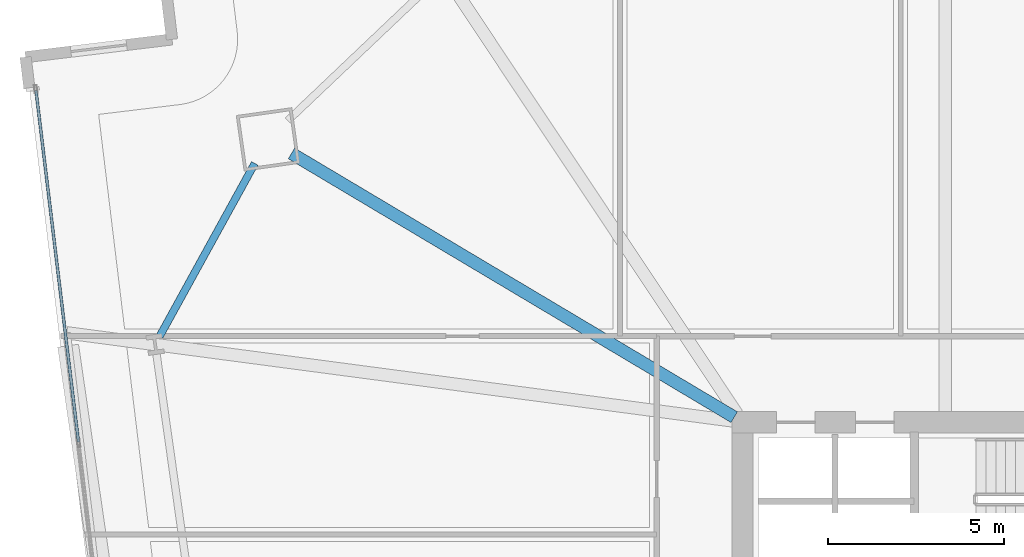
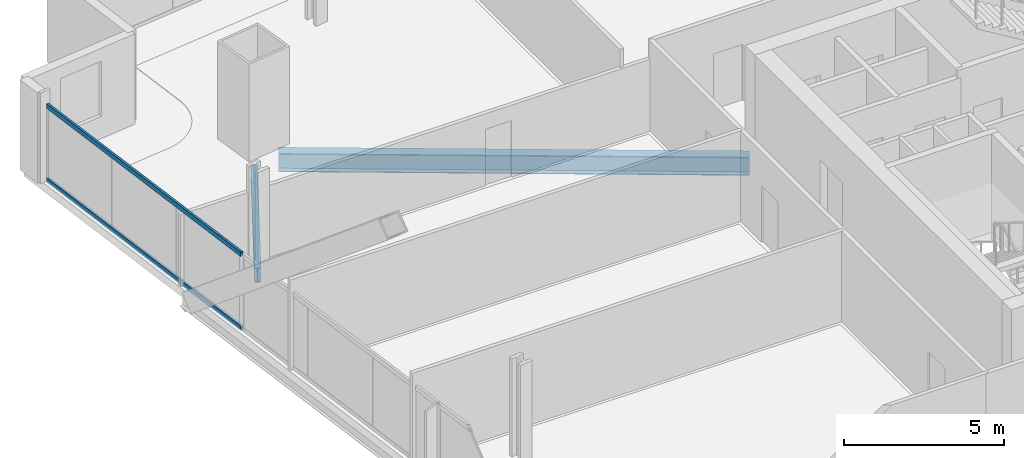
# One storey, part 15 of 33: 2 beams, 2 members, 1 element without a shape of its own.
"""IFC4 building model written with IfcOpenShell, lengths in metres."""

from ifc_helpers import new_model, si_unit, direction, frame, origin, origin_2d, place, context, subcontext, project, spatial, hollow_rectangle, i_section, extrude, material, material_profile, profile_set, type_object, element, aggregate, save


model = new_model("IFC4")

# Units and contexts
model_context = context("Model", 3, precision=1e-05, world=origin(), true_north=direction((0.0, 1.0)))
body_context = subcontext(model_context, "Body", "Model", "MODEL_VIEW")
ifc_project = project(units=[si_unit("LENGTHUNIT", "METRE"), si_unit("AREAUNIT", "SQUARE_METRE"), si_unit("VOLUMEUNIT", "CUBIC_METRE"), si_unit("PLANEANGLEUNIT", "RADIAN"), si_unit("MASSUNIT", "GRAM", prefix="KILO")], contexts=[model_context])

# Site, building, storey
site_placement = place(None, origin())
site = spatial("IfcSite", under=ifc_project, at=site_placement, CompositionType="ELEMENT")
building_placement = place(site_placement, origin())
building = spatial("IfcBuilding", under=site, at=building_placement, Name="Haldenkirk Collegiate Tower", CompositionType="ELEMENT")
storey_placement = place(building_placement, frame((0.0, 0.0, 51.449951171875)))
storey = spatial("IfcBuildingStorey", under=building, at=storey_placement, Name="L11", CompositionType="ELEMENT", Elevation=51.449951171875)

# Beams
ifc_material_1 = material(Name="Steel ASTM A992 Grade 50", Category="steel")
ifc_material_profile_1 = material_profile(ifc_material_1, i_section(OverallWidth=0.35498046875, OverallDepth=0.696044921875, WebThickness=0.015380859375, FlangeThickness=0.02490234375, at=origin_2d()), Name="W27X146")
ifc_profile_set_1 = profile_set([ifc_material_profile_1], Name="Steel ASTM A992 Grade 50")
beam_type_1 = type_object("IfcBeamType", Name="BM-GIRDER-W27X146", PredefinedType="BEAM", material=ifc_profile_set_1)
beam_1_placement = place(storey_placement, frame((14.14990234375, 41.6552734375, -0.657958984375), z_axis=(0.859106056552, -0.511797600225, 0.0), x_axis=(0.511797600225, 0.859106056552, 0.0)))
element("IfcBeam", 1, at=beam_1_placement, inside=storey, type_object=beam_type_1, Name="L11 primary floor girder 04", PredefinedType="BEAM", context=body_context, shape_type="SweptSolid", body=[
    extrude(i_section(OverallWidth=0.35498046875, OverallDepth=0.696044921875, WebThickness=0.015380859375, FlangeThickness=0.02490234375, at=origin_2d()), origin(), (0.0, 0.0, 1.0), 14.677490234375),
])
ifc_material_profile_2 = material_profile(ifc_material_1, i_section(OverallWidth=0.2119140625, OverallDepth=0.5439453125, WebThickness=0.01318359375, FlangeThickness=0.021240234375, at=origin_2d()), Name="W21X83")
ifc_profile_set_2 = profile_set([ifc_material_profile_2], Name="Steel ASTM A992 Grade 50")
beam_type_2 = type_object("IfcBeamType", Name="BM-SPANDREL-W21X83", PredefinedType="SPANDREL", material=ifc_profile_set_2)
beam_2_placement = place(storey_placement, frame((13.10400390625, 41.37109375, -0.58203125), z_axis=(-0.482003753736, -0.876169151126, 0.0), x_axis=(0.876169151126, -0.482003753736, 0.0)))
element("IfcBeam", 2, at=beam_2_placement, inside=storey, type_object=beam_type_2, Name="L11 perimeter spandrel beam 13", PredefinedType="SPANDREL", context=body_context, shape_type="SweptSolid", body=[
    extrude(i_section(OverallWidth=0.2119140625, OverallDepth=0.5439453125, WebThickness=0.01318359375, FlangeThickness=0.021240234375, at=origin_2d()), origin(), (0.0, 0.0, 1.0), 5.622802734375),
])

# Curtain wall, members
ifc_material_2 = material(Name="Anodised architectural bronze aluminium", Category="aluminium")
curtain_wall_type = type_object("IfcCurtainWallType", Name="CW-SYS1-CONVEX-LOW", PredefinedType="USERDEFINED", material=ifc_material_2)
curtain_wall_placement = place(storey_placement, origin())
curtain_wall = element("IfcCurtainWall", 3, at=curtain_wall_placement, inside=storey, type_object=curtain_wall_type, Name="L11 Lower tower convex bronze-framed unitised curtain wall", ObjectType="UNITISED CURTAIN WALL", PredefinedType="USERDEFINED")
ifc_material_profile_3 = material_profile(ifc_material_2, hollow_rectangle(XDim=0.080078125, YDim=0.179931640625, WallThickness=0.0048828125, at=origin_2d()), Name="CW-TRN-1A")
ifc_profile_set_3 = profile_set([ifc_material_profile_3], Name="Anodised architectural bronze aluminium")
member_type = type_object("IfcMemberType", Name="CW-TRN-1A", PredefinedType="USERDEFINED", material=ifc_profile_set_3)
member_1_placement = place(storey_placement, frame((8.083984375, 33.440185546875, 0.0400390625), z_axis=(-0.120134618634, 0.992757610601, 0.0), x_axis=(-0.992757610601, -0.120134618634, 0.0)))
member_1 = element("IfcMember", 4, at=member_1_placement, type_object=member_type, Name="CW-1A transom 4.1", ObjectType="TRANSOM", PredefinedType="USERDEFINED", context=body_context, shape_type="SweptSolid", body=[
    extrude(hollow_rectangle(XDim=0.080078125, YDim=0.179931640625, WallThickness=0.0048828125, at=origin_2d()), origin(), (0.0, 0.0, 1.0), 10.079833984375),
])
member_2_placement = place(storey_placement, frame((8.083984375, 33.440185546875, 2.85107421875), z_axis=(-0.120134618634, 0.992757610601, 0.0), x_axis=(-0.992757610601, -0.120134618634, 0.0)))
member_2 = element("IfcMember", 5, at=member_2_placement, type_object=member_type, Name="CW-1A transom 4.2", ObjectType="TRANSOM", PredefinedType="USERDEFINED", context=body_context, shape_type="SweptSolid", body=[
    extrude(hollow_rectangle(XDim=0.080078125, YDim=0.179931640625, WallThickness=0.0048828125, at=origin_2d()), origin(), (0.0, 0.0, 1.0), 10.079833984375),
])
aggregate(curtain_wall, [member_1, member_2])

save(model, "model.ifc")
